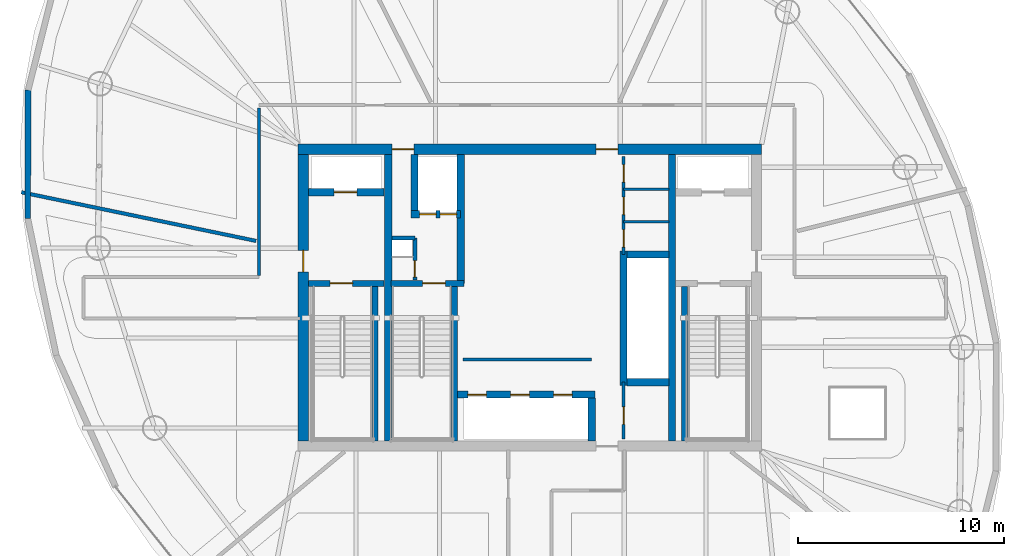
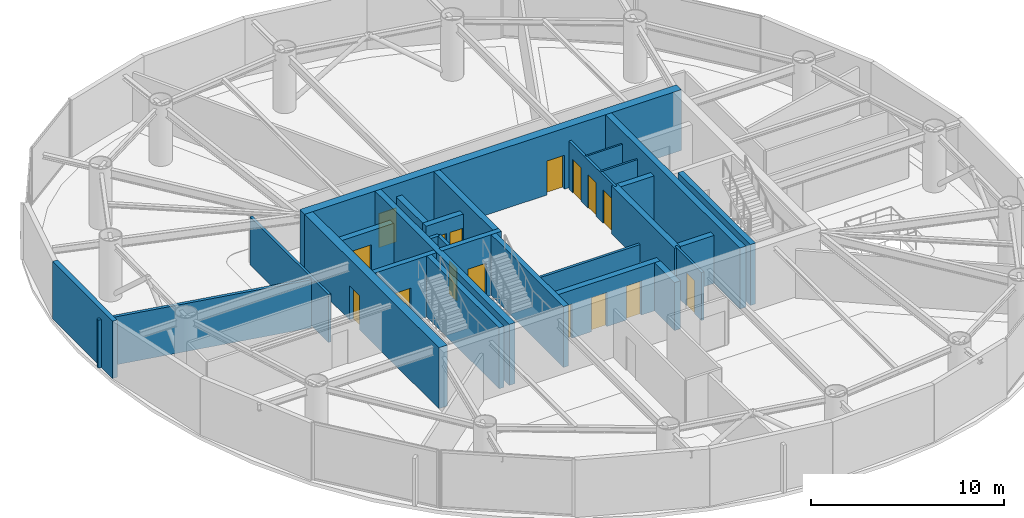
# One storey, part 13 of 18: 28 walls, 16 doors, 16 openings.
"""IFC4 building model written with IfcOpenShell, lengths in metres."""

from ifc_helpers import new_model, si_unit, direction, frame, frame_2d, origin, place, context, subcontext, project, spatial, rectangle, extrude, material, layer, layer_set, type_object, element, fill, save


model = new_model("IFC4")

# Units and contexts
model_context = context("Model", 3, precision=1e-05, world=origin(), true_north=direction((0.0, 1.0)))
body_context = subcontext(model_context, "Body", "Model", "MODEL_VIEW")
ifc_project = project(units=[si_unit("LENGTHUNIT", "METRE"), si_unit("AREAUNIT", "SQUARE_METRE"), si_unit("VOLUMEUNIT", "CUBIC_METRE"), si_unit("PLANEANGLEUNIT", "RADIAN"), si_unit("MASSUNIT", "GRAM", prefix="KILO")], contexts=[model_context])

# Site, building, storey
site_placement = place(None, origin())
site = spatial("IfcSite", under=ifc_project, at=site_placement, CompositionType="ELEMENT")
building_placement = place(site_placement, origin())
building = spatial("IfcBuilding", under=site, at=building_placement, Name="Bramvorn Convention Spire", CompositionType="ELEMENT")
storey_placement = place(building_placement, frame((0.0, 0.0, 205.85009765625)))
storey = spatial("IfcBuildingStorey", under=building, at=storey_placement, Name="L52", CompositionType="ELEMENT", Elevation=205.85009765625)

# Wall, openings, doors
ifc_material_1 = material(Name="Concrete C50/60", Category="concrete")
ifc_layer_1 = layer(ifc_material_1, 0.5)
ifc_layer_set_1 = layer_set([ifc_layer_1], Name="Concrete C50/60 - WL-CORE-500")
wall_type_1 = type_object("IfcWallType", Name="WL-CORE-500", PredefinedType="SHEAR", material=ifc_layer_set_1)
wall_1_placement = place(storey_placement, frame((26.75, 33.199951171875, 0.0), z_axis=(0.0, 0.0, 1.0), x_axis=(1.0, 0.0, 0.0)))
wall_1 = element("IfcWall", 1, at=wall_1_placement, inside=storey, type_object=wall_type_1, Name="L52 North RC core shear wall", PredefinedType="SHEAR", context=body_context, shape_type="SweptSolid", body=[
    extrude(rectangle(XDim=22.5, YDim=0.5, at=frame_2d((11.25, 0.0))), origin(), (0.0, 0.0, 1.0), 3.849853515625),
])
opening_1_placement = place(wall_1_placement, frame((4.570068359375, 0.0, 0.0)))
opening_1 = element("IfcOpeningElement", 2, at=opening_1_placement, cuts=wall_1, Name="Opening DL-105", PredefinedType="OPENING", context=body_context, shape_type="SweptSolid", body=[
    extrude(rectangle(XDim=1.050048828125, YDim=2.14990234375, at=frame_2d((0.52490234375, 1.074951171875))), frame((0.0, 0.260009765625, 0.0), z_axis=(0.0, -1.0, 0.0), x_axis=(1.0, 0.0, 0.0)), (0.0, 0.0, 1.0), 0.52001953125),
])
opening_2_placement = place(wall_1_placement, frame((14.469970703125, 0.0, 0.0)))
opening_2 = element("IfcOpeningElement", 3, at=opening_2_placement, cuts=wall_1, Name="Opening DL-105", PredefinedType="OPENING", context=body_context, shape_type="SweptSolid", body=[
    extrude(rectangle(XDim=1.050048828125, YDim=2.14990234375, at=frame_2d((0.52490234375, 1.074951171875))), frame((0.0, 0.260009765625, 0.0), z_axis=(0.0, -1.0, 0.0), x_axis=(1.0, 0.0, 0.0)), (0.0, 0.0, 1.0), 0.52001953125),
])
ifc_material_2 = material(Name="Smoke-Sealed Fire Lobby Timber-Core Door", Category="wood")
door_type_1 = type_object("IfcDoorType", Name="DR-LOBBY-1050", OperationType="NOTDEFINED", PredefinedType="DOOR", material=ifc_material_2)
door_1_placement = place(opening_1_placement, origin())
door_1 = element("IfcDoor", 4, at=door_1_placement, inside=storey, type_object=door_type_1, Name="L52 Service & Stair ST3 Lobby north corridor door", OperationType="SINGLE_SWING_LEFT", OverallHeight=2.14990234375, OverallWidth=1.050048828125, PredefinedType="DOOR", context=body_context, shape_type="SweptSolid", body=[
    extrude(rectangle(XDim=1.050048828125, YDim=2.14990234375, at=frame_2d((0.52490234375, 1.074951171875))), frame((0.0, 0.02490234375, 0.0), z_axis=(0.0, -1.0, 0.0), x_axis=(1.0, 0.0, 0.0)), (0.0, 0.0, 1.0), 0.050048828125),
])
fill(opening_1, door_1)
door_2_placement = place(opening_2_placement, origin())
door_2 = element("IfcDoor", 5, at=door_2_placement, inside=storey, type_object=door_type_1, Name="L52 North Lift Lobby fire door", OperationType="SINGLE_SWING_LEFT", OverallHeight=2.14990234375, OverallWidth=1.050048828125, PredefinedType="DOOR", context=body_context, shape_type="SweptSolid", body=[
    extrude(rectangle(XDim=1.050048828125, YDim=2.14990234375, at=frame_2d((0.52490234375, 1.074951171875))), frame((0.0, 0.02490234375, 0.0), z_axis=(0.0, -1.0, 0.0), x_axis=(1.0, 0.0, 0.0)), (0.0, 0.0, 1.0), 0.050048828125),
])
fill(opening_2, door_2)

# Wall, opening, door
wall_2_placement = place(storey_placement, frame((27.0, 19.050048828125, 0.0), z_axis=(0.0, 0.0, 1.0), x_axis=(0.0, 1.0, 0.0)))
wall_2 = element("IfcWall", 6, at=wall_2_placement, inside=storey, type_object=wall_type_1, Name="L52 West RC core shear wall", PredefinedType="SHEAR", context=body_context, shape_type="SweptSolid", body=[
    extrude(rectangle(XDim=13.89990234375, YDim=0.5, at=frame_2d((6.949951171875, 0.0))), origin(), (0.0, 0.0, 1.0), 3.849853515625),
])
opening_3_placement = place(wall_2_placement, frame((8.199951171875, 0.0, 0.0)))
opening_3 = element("IfcOpeningElement", 7, at=opening_3_placement, cuts=wall_2, Name="Opening DL-105", PredefinedType="OPENING", context=body_context, shape_type="SweptSolid", body=[
    extrude(rectangle(XDim=1.050048828125, YDim=2.14990234375, at=frame_2d((0.52490234375, 1.074951171875))), frame((0.0, 0.260009765625, 0.0), z_axis=(0.0, -1.0, 0.0), x_axis=(1.0, 0.0, 0.0)), (0.0, 0.0, 1.0), 0.52001953125),
])
door_3_placement = place(opening_3_placement, origin())
door_3 = element("IfcDoor", 8, at=door_3_placement, inside=storey, type_object=door_type_1, Name="L52 West Firefighting Lobby corridor door", OperationType="SINGLE_SWING_RIGHT", OverallHeight=2.14990234375, OverallWidth=1.050048828125, PredefinedType="DOOR", context=body_context, shape_type="SweptSolid", body=[
    extrude(rectangle(XDim=1.050048828125, YDim=2.14990234375, at=frame_2d((0.52490234375, 1.074951171875))), frame((0.0, 0.02490234375, 0.0), z_axis=(0.0, -1.0, 0.0), x_axis=(1.0, 0.0, 0.0)), (0.0, 0.0, 1.0), 0.050048828125),
])
fill(opening_3, door_3)

# Walls
ifc_layer_2 = layer(ifc_material_1, 0.35009765625)
ifc_layer_set_2 = layer_set([ifc_layer_2], Name="Concrete C50/60 - WL-CORE-INT-350")
wall_type_2 = type_object("IfcWallType", Name="WL-CORE-INT-350", PredefinedType="SHEAR", material=ifc_layer_set_2)
for number, where, z_axis, x_axis, name in (
    (9, (31.1298828125, 19.050048828125, 0.0), (0.0, 0.0, 1.0), (0.0, 1.0, 0.0), "L52 West internal core shear web"),
    (10, (44.89990234375, 19.050048828125, 0.0), (0.0, 0.0, 1.0), (0.0, 1.0, 0.0), "L52 East internal core shear web"),
):
    element("IfcWall", number, at=place(storey_placement, frame(where, z_axis=z_axis, x_axis=x_axis)), inside=storey, type_object=wall_type_2, Name=name, PredefinedType="SHEAR", context=body_context, shape_type="SweptSolid", body=[
        extrude(rectangle(XDim=13.89990234375, YDim=0.35009765625, at=frame_2d((6.949951171875, 0.0))), origin(), (0.0, 0.0, 1.0), 3.849853515625),
    ])

# Wall, opening, door
wall_3_placement = place(storey_placement, frame((27.25, 31.1201171875, 0.0), z_axis=(0.0, 0.0, 1.0), x_axis=(1.0, 0.0, 0.0)))
wall_3 = element("IfcWall", 11, at=wall_3_placement, inside=storey, type_object=wall_type_2, Name="L52 FE1 shaft front wall", PredefinedType="SHEAR", context=body_context, shape_type="SweptSolid", body=[
    extrude(rectangle(XDim=3.669921875, YDim=0.35009765625, at=frame_2d((1.8349609375, 0.0))), origin(), (0.0, 0.0, 1.0), 3.034912109375),
])
opening_4_placement = place(wall_3_placement, frame((1.25, 0.0, 0.0)))
opening_4 = element("IfcOpeningElement", 12, at=opening_4_placement, cuts=wall_3, Name="Opening LD-110", PredefinedType="OPENING", context=body_context, shape_type="SweptSolid", body=[
    extrude(rectangle(XDim=1.10009765625, YDim=2.14990234375, at=frame_2d((0.550048828125, 1.074951171875))), frame((0.0, 0.18505859375, 0.0), z_axis=(0.0, -1.0, 0.0), x_axis=(1.0, 0.0, 0.0)), (0.0, 0.0, 1.0), 0.3701171875),
])
ifc_material_3 = material(Name="Firefighting & Service Lift Sliding Landing Door", Category="steel")
door_type_2 = type_object("IfcDoorType", Name="DR-LIFT-LD-1100", OperationType="NOTDEFINED", PredefinedType="DOOR", material=ifc_material_3)
door_4_placement = place(opening_4_placement, origin())
door_4 = element("IfcDoor", 13, at=door_4_placement, inside=storey, type_object=door_type_2, Name="L52 Lift FE1 Sliding Landing Door", OperationType="SLIDING_TO_LEFT", OverallHeight=2.14990234375, OverallWidth=1.10009765625, PredefinedType="DOOR", context=body_context, shape_type="SweptSolid", body=[
    extrude(rectangle(XDim=1.10009765625, YDim=2.14990234375, at=frame_2d((0.550048828125, 1.074951171875))), frame((0.0, 0.02490234375, 0.0), z_axis=(0.0, -1.0, 0.0), x_axis=(1.0, 0.0, 0.0)), (0.0, 0.0, 1.0), 0.050048828125),
])
fill(opening_4, door_4)

# Wall
wall_4_placement = place(storey_placement, frame((34.639892578125, 26.68994140625, 0.0), z_axis=(0.0, 0.0, 1.0), x_axis=(0.0, 1.0, 0.0)))
element("IfcWall", 14, at=wall_4_placement, inside=storey, type_object=wall_type_2, Name="L52 SV east core shaft wall", PredefinedType="SHEAR", context=body_context, shape_type="SweptSolid", body=[
    extrude(rectangle(XDim=6.260009765625, YDim=0.35009765625, at=frame_2d((3.1298828125, 0.0))), origin(), (0.0, 0.0, 1.0), 3.849853515625),
])

# Wall, openings, doors
wall_5_placement = place(storey_placement, frame((32.22998046875, 30.050048828125, 0.0), z_axis=(0.0, 0.0, 1.0), x_axis=(1.0, 0.0, 0.0)))
wall_5 = element("IfcWall", 15, at=wall_5_placement, inside=storey, type_object=wall_type_2, Name="L52 SV1/SV2 shaft front wall", PredefinedType="SHEAR", context=body_context, shape_type="SweptSolid", body=[
    extrude(rectangle(XDim=2.409912109375, YDim=0.35009765625, at=frame_2d((1.205078125, 0.0))), origin(), (0.0, 0.0, 1.0), 3.034912109375),
])
opening_5_placement = place(wall_5_placement, frame((0.419921875, 0.0, 0.0)))
opening_5 = element("IfcOpeningElement", 16, at=opening_5_placement, cuts=wall_5, Name="Opening LD-080", PredefinedType="OPENING", context=body_context, shape_type="SweptSolid", body=[
    extrude(rectangle(XDim=0.800048828125, YDim=2.14990234375, at=frame_2d((0.39990234375, 1.074951171875))), frame((0.0, 0.18505859375, 0.0), z_axis=(0.0, -1.0, 0.0), x_axis=(1.0, 0.0, 0.0)), (0.0, 0.0, 1.0), 0.3701171875),
])
opening_6_placement = place(wall_5_placement, frame((1.419921875, 0.0, 0.0)))
opening_6 = element("IfcOpeningElement", 17, at=opening_6_placement, cuts=wall_5, Name="Opening LD-080", PredefinedType="OPENING", context=body_context, shape_type="SweptSolid", body=[
    extrude(rectangle(XDim=0.800048828125, YDim=2.14990234375, at=frame_2d((0.39990234375, 1.074951171875))), frame((0.0, 0.18505859375, 0.0), z_axis=(0.0, -1.0, 0.0), x_axis=(1.0, 0.0, 0.0)), (0.0, 0.0, 1.0), 0.3701171875),
])
ifc_material_4 = material(Name="Service Lift Bi-Parting Landing Door", Category="steel")
door_type_3 = type_object("IfcDoorType", Name="DR-LIFT-LD-800", OperationType="NOTDEFINED", PredefinedType="DOOR", material=ifc_material_4)
door_5_placement = place(opening_5_placement, origin())
door_5 = element("IfcDoor", 18, at=door_5_placement, inside=storey, type_object=door_type_3, Name="L52 Lift SV1 Sliding Landing Door", OperationType="SLIDING_TO_LEFT", OverallHeight=2.14990234375, OverallWidth=0.800048828125, PredefinedType="DOOR", context=body_context, shape_type="SweptSolid", body=[
    extrude(rectangle(XDim=0.800048828125, YDim=2.14990234375, at=frame_2d((0.39990234375, 1.074951171875))), frame((0.0, 0.02490234375, 0.0), z_axis=(0.0, -1.0, 0.0), x_axis=(1.0, 0.0, 0.0)), (0.0, 0.0, 1.0), 0.050048828125),
])
fill(opening_5, door_5)
door_6_placement = place(opening_6_placement, origin())
door_6 = element("IfcDoor", 19, at=door_6_placement, inside=storey, type_object=door_type_3, Name="L52 Lift SV2 Sliding Landing Door", OperationType="SLIDING_TO_LEFT", OverallHeight=2.14990234375, OverallWidth=0.800048828125, PredefinedType="DOOR", context=body_context, shape_type="SweptSolid", body=[
    extrude(rectangle(XDim=0.800048828125, YDim=2.14990234375, at=frame_2d((0.39990234375, 1.074951171875))), frame((0.0, 0.02490234375, 0.0), z_axis=(0.0, -1.0, 0.0), x_axis=(1.0, 0.0, 0.0)), (0.0, 0.0, 1.0), 0.050048828125),
])
fill(opening_6, door_6)

# Walls
wall_6_placement = place(storey_placement, frame((32.39990234375, 30.219970703125, 0.0), z_axis=(0.0, 0.0, 1.0), x_axis=(0.0, 1.0, 0.0)))
element("IfcWall", 20, at=wall_6_placement, inside=storey, type_object=wall_type_2, Name="L52 SV1 west hoistway wall", PredefinedType="SHEAR", context=body_context, shape_type="SweptSolid", body=[
    extrude(rectangle(XDim=2.72998046875, YDim=0.35009765625, at=frame_2d((1.364990234375, 0.0))), origin(), (0.0, 0.0, 1.0), 3.034912109375),
])
wall_7_placement = place(storey_placement, frame((42.550048828125, 21.72998046875, 0.0), z_axis=(0.0, 0.0, 1.0), x_axis=(0.0, 1.0, 0.0)))
element("IfcWall", 21, at=wall_7_placement, inside=storey, type_object=wall_type_2, Name="L52 High-rise lift bank west wall", PredefinedType="SHEAR", context=body_context, shape_type="SweptSolid", body=[
    extrude(rectangle(XDim=6.5400390625, YDim=0.35009765625, at=frame_2d((3.27001953125, 0.0))), origin(), (0.0, 0.0, 1.0), 3.034912109375),
])
for number, where, z_axis, x_axis, name in (
    (22, (42.719970703125, 21.89990234375, 0.0), (0.0, 0.0, 1.0), (1.0, 0.0, 0.0), "L52 High-rise lift bank south wall"),
    (23, (42.719970703125, 28.10009765625, 0.0), (0.0, 0.0, 1.0), (1.0, 0.0, 0.0), "L52 High-rise lift bank north wall"),
):
    element("IfcWall", number, at=place(storey_placement, frame(where, z_axis=z_axis, x_axis=x_axis)), inside=storey, type_object=wall_type_2, Name=name, PredefinedType="SHEAR", context=body_context, shape_type="SweptSolid", body=[
        extrude(rectangle(XDim=2.030029296875, YDim=0.35009765625, at=frame_2d((1.01513671875, 0.0))), origin(), (0.0, 0.0, 1.0), 3.034912109375),
    ])

# Wall, openings, doors
wall_8_placement = place(storey_placement, frame((34.489990234375, 21.300048828125, 0.0), z_axis=(0.0, 0.0, 1.0), x_axis=(1.0, 0.0, 0.0)))
wall_8 = element("IfcWall", 24, at=wall_8_placement, inside=storey, type_object=wall_type_2, Name="L52 Mid-rise bank north landing wall", PredefinedType="SHEAR", context=body_context, shape_type="SweptSolid", body=[
    extrude(rectangle(XDim=6.679931640625, YDim=0.35009765625, at=frame_2d((3.33984375, 0.0))), origin(), (0.0, 0.0, 1.0), 3.034912109375),
])
opening_7_placement = place(wall_8_placement, frame((0.5, 0.0, 0.0)))
opening_7 = element("IfcOpeningElement", 25, at=opening_7_placement, cuts=wall_8, Name="Opening LD-090", PredefinedType="OPENING", context=body_context, shape_type="SweptSolid", body=[
    extrude(rectangle(XDim=0.89990234375, YDim=2.14990234375, at=frame_2d((0.449951171875, 1.074951171875))), frame((0.0, 0.18505859375, 0.0), z_axis=(0.0, -1.0, 0.0), x_axis=(1.0, 0.0, 0.0)), (0.0, 0.0, 1.0), 0.3701171875),
])
opening_8_placement = place(wall_8_placement, frame((2.580078125, 0.0, 0.0)))
opening_8 = element("IfcOpeningElement", 26, at=opening_8_placement, cuts=wall_8, Name="Opening LD-090", PredefinedType="OPENING", context=body_context, shape_type="SweptSolid", body=[
    extrude(rectangle(XDim=0.89990234375, YDim=2.14990234375, at=frame_2d((0.449951171875, 1.074951171875))), frame((0.0, 0.18505859375, 0.0), z_axis=(0.0, -1.0, 0.0), x_axis=(1.0, 0.0, 0.0)), (0.0, 0.0, 1.0), 0.3701171875),
])
opening_9_placement = place(wall_8_placement, frame((4.659912109375, 0.0, 0.0)))
opening_9 = element("IfcOpeningElement", 27, at=opening_9_placement, cuts=wall_8, Name="Opening LD-090", PredefinedType="OPENING", context=body_context, shape_type="SweptSolid", body=[
    extrude(rectangle(XDim=0.89990234375, YDim=2.14990234375, at=frame_2d((0.449951171875, 1.074951171875))), frame((0.0, 0.18505859375, 0.0), z_axis=(0.0, -1.0, 0.0), x_axis=(1.0, 0.0, 0.0)), (0.0, 0.0, 1.0), 0.3701171875),
])
ifc_material_5 = material(Name="Bi-Parting Fire-Rated Lift Landing Door", Category="steel")
door_type_4 = type_object("IfcDoorType", Name="DR-LIFT-LD-900", OperationType="NOTDEFINED", PredefinedType="DOOR", material=ifc_material_5)
door_7_placement = place(opening_7_placement, origin())
door_7 = element("IfcDoor", 28, at=door_7_placement, inside=storey, type_object=door_type_4, Name="L52 Lift PM1 Sliding Landing Door", OperationType="SLIDING_TO_LEFT", OverallHeight=2.14990234375, OverallWidth=0.89990234375, PredefinedType="DOOR", context=body_context, shape_type="SweptSolid", body=[
    extrude(rectangle(XDim=0.89990234375, YDim=2.14990234375, at=frame_2d((0.449951171875, 1.074951171875))), frame((0.0, 0.02490234375, 0.0), z_axis=(0.0, -1.0, 0.0), x_axis=(1.0, 0.0, 0.0)), (0.0, 0.0, 1.0), 0.050048828125),
])
fill(opening_7, door_7)
door_8_placement = place(opening_8_placement, origin())
door_8 = element("IfcDoor", 29, at=door_8_placement, inside=storey, type_object=door_type_4, Name="L52 Lift PM2 Sliding Landing Door", OperationType="SLIDING_TO_LEFT", OverallHeight=2.14990234375, OverallWidth=0.89990234375, PredefinedType="DOOR", context=body_context, shape_type="SweptSolid", body=[
    extrude(rectangle(XDim=0.89990234375, YDim=2.14990234375, at=frame_2d((0.449951171875, 1.074951171875))), frame((0.0, 0.02490234375, 0.0), z_axis=(0.0, -1.0, 0.0), x_axis=(1.0, 0.0, 0.0)), (0.0, 0.0, 1.0), 0.050048828125),
])
fill(opening_8, door_8)
door_9_placement = place(opening_9_placement, origin())
door_9 = element("IfcDoor", 30, at=door_9_placement, inside=storey, type_object=door_type_4, Name="L52 Lift PM3 Sliding Landing Door", OperationType="SLIDING_TO_LEFT", OverallHeight=2.14990234375, OverallWidth=0.89990234375, PredefinedType="DOOR", context=body_context, shape_type="SweptSolid", body=[
    extrude(rectangle(XDim=0.89990234375, YDim=2.14990234375, at=frame_2d((0.449951171875, 1.074951171875))), frame((0.0, 0.02490234375, 0.0), z_axis=(0.0, -1.0, 0.0), x_axis=(1.0, 0.0, 0.0)), (0.0, 0.0, 1.0), 0.050048828125),
])
fill(opening_9, door_9)

# Walls
wall_9_placement = place(storey_placement, frame((41.0, 19.050048828125, 0.0), z_axis=(0.0, 0.0, 1.0), x_axis=(0.0, 1.0, 0.0)))
element("IfcWall", 31, at=wall_9_placement, inside=storey, type_object=wall_type_2, Name="L52 Mid-rise bank east cheek wall", PredefinedType="SHEAR", context=body_context, shape_type="SweptSolid", body=[
    extrude(rectangle(XDim=2.079833984375, YDim=0.35009765625, at=frame_2d((1.0400390625, 0.0))), origin(), (0.0, 0.0, 1.0), 3.034912109375),
])
ifc_material_6 = material(Name="Precast Concrete C40/50 with Bronze Terracotta Rainscreen", Category="masonry")
ifc_layer_3 = layer(ifc_material_6, 0.300048828125)
ifc_layer_set_3 = layer_set([ifc_layer_3], Name="Precast Concrete C40/50 with Bronze Terracotta Rainscreen - WL-EXT-BRONZE-300")
wall_type_3 = type_object("IfcWallType", Name="WL-EXT-BRONZE-300", PredefinedType="SOLIDWALL", material=ifc_layer_set_3)
wall_10_placement = place(storey_placement, frame((13.6279296875, 29.8466796875, 0.0), z_axis=(0.0, 0.0, 1.0), x_axis=(0.003136870423, 0.99999508001, 0.0)))
element("IfcWall", 32, at=wall_10_placement, inside=storey, type_object=wall_type_3, Name="L52 expressed bronze Gothic lancet pier wall 15", PredefinedType="SOLIDWALL", context=body_context, shape_type="SweptSolid", body=[
    extrude(rectangle(XDim=6.226318359375, YDim=0.280029296875, at=frame_2d((3.11328125, 0.0))), origin(), (0.0, 0.0, 1.0), 3.619873046875),
])
ifc_material_7 = material(Name="Lightweight En-Suite & Wet-Wall Partition", Category="gypsum")
ifc_layer_4 = layer(ifc_material_7, 0.110107421875)
ifc_layer_set_4 = layer_set([ifc_layer_4], Name="Lightweight En-Suite & Wet-Wall Partition - WL-PART-110")
wall_type_4 = type_object("IfcWallType", Name="WL-PART-110", PredefinedType="PARTITIONING", material=ifc_layer_set_4)
for number, where, z_axis, x_axis, name in (
    (33, (42.550048828125, 29.679931640625, 0.0), (0.0, 0.0, 1.0), (1.0, 0.0, 0.0), "L52 KC NE div 1"),
    (34, (42.550048828125, 31.260009765625, 0.0), (0.0, 0.0, 1.0), (1.0, 0.0, 0.0), "L52 KC NE div 2"),
):
    element("IfcWall", number, at=place(storey_placement, frame(where, z_axis=z_axis, x_axis=x_axis)), inside=storey, type_object=wall_type_4, Name=name, PredefinedType="PARTITIONING", context=body_context, shape_type="SweptSolid", body=[
        extrude(rectangle(XDim=2.199951171875, YDim=0.110107421875, at=frame_2d((1.10009765625, 0.0))), origin(), (0.0, 0.0, 1.0), 3.034912109375),
    ])
ifc_material_8 = material(Name="Acoustic Metal-Stud Tenant/Corridor Partition", Category="gypsum")
ifc_layer_5 = layer(ifc_material_8, 0.14990234375)
ifc_layer_set_5 = layer_set([ifc_layer_5], Name="Acoustic Metal-Stud Tenant/Corridor Partition - WL-PART-150")
wall_type_5 = type_object("IfcWallType", Name="WL-PART-150", PredefinedType="PARTITIONING", material=ifc_layer_set_5)
wall_11_placement = place(storey_placement, frame((34.75, 23.0, 0.0), z_axis=(0.0, 0.0, 1.0), x_axis=(1.0, 0.0, 0.0)))
element("IfcWall", 35, at=wall_11_placement, inside=storey, type_object=wall_type_5, Name="L52 Mid-rise lift vestibule north wall", PredefinedType="PARTITIONING", context=body_context, shape_type="SweptSolid", body=[
    extrude(rectangle(XDim=6.25, YDim=0.14990234375, at=frame_2d((3.125, 0.0))), origin(), (0.0, 0.0, 1.0), 3.034912109375),
])

# Wall, openings, doors
wall_12_placement = place(storey_placement, frame((42.550048828125, 28.10009765625, 0.0), z_axis=(0.0, 0.0, 1.0), x_axis=(0.0, 1.0, 0.0)))
wall_12 = element("IfcWall", 36, at=wall_12_placement, inside=storey, type_object=wall_type_5, Name="L52 KC NE wall", PredefinedType="PARTITIONING", context=body_context, shape_type="SweptSolid", body=[
    extrude(rectangle(XDim=4.75, YDim=0.14990234375, at=frame_2d((2.375, 0.0))), origin(), (0.0, 0.0, 1.0), 3.034912109375),
])
opening_10_placement = place(wall_12_placement, frame((0.35009765625, 0.0, 0.0)))
opening_10 = element("IfcOpeningElement", 37, at=opening_10_placement, cuts=wall_12, Name="Opening DC-085", PredefinedType="OPENING", context=body_context, shape_type="SweptSolid", body=[
    extrude(rectangle(XDim=0.85009765625, YDim=2.10009765625, at=frame_2d((0.425048828125, 1.050048828125))), frame((0.0, 0.0849609375, 0.0), z_axis=(0.0, -1.0, 0.0), x_axis=(1.0, 0.0, 0.0)), (0.0, 0.0, 1.0), 0.169921875),
])
opening_11_placement = place(wall_12_placement, frame((1.929931640625, 0.0, 0.0)))
opening_11 = element("IfcOpeningElement", 38, at=opening_11_placement, cuts=wall_12, Name="Opening DC-085", PredefinedType="OPENING", context=body_context, shape_type="SweptSolid", body=[
    extrude(rectangle(XDim=0.85009765625, YDim=2.10009765625, at=frame_2d((0.425048828125, 1.050048828125))), frame((0.0, 0.0849609375, 0.0), z_axis=(0.0, -1.0, 0.0), x_axis=(1.0, 0.0, 0.0)), (0.0, 0.0, 1.0), 0.169921875),
])
opening_12_placement = place(wall_12_placement, frame((3.510009765625, 0.0, 0.0)))
opening_12 = element("IfcOpeningElement", 39, at=opening_12_placement, cuts=wall_12, Name="Opening DC-085", PredefinedType="OPENING", context=body_context, shape_type="SweptSolid", body=[
    extrude(rectangle(XDim=0.85009765625, YDim=2.10009765625, at=frame_2d((0.425048828125, 1.050048828125))), frame((0.0, 0.0849609375, 0.0), z_axis=(0.0, -1.0, 0.0), x_axis=(1.0, 0.0, 0.0)), (0.0, 0.0, 1.0), 0.169921875),
])
ifc_material_9 = material(Name="Fire-Rated Core Washroom & IDF Door", Category="wood")
door_type_5 = type_object("IfcDoorType", Name="DR-CORE-850", OperationType="NOTDEFINED", PredefinedType="DOOR", material=ifc_material_9)
door_10_placement = place(opening_10_placement, origin())
door_10 = element("IfcDoor", 40, at=door_10_placement, inside=storey, type_object=door_type_5, Name="L52 Accessible Core Restroom door", OperationType="SINGLE_SWING_LEFT", OverallHeight=2.10009765625, OverallWidth=0.85009765625, PredefinedType="DOOR", context=body_context, shape_type="SweptSolid", body=[
    extrude(rectangle(XDim=0.85009765625, YDim=2.10009765625, at=frame_2d((0.425048828125, 1.050048828125))), frame((0.0, 0.02490234375, 0.0), z_axis=(0.0, -1.0, 0.0), x_axis=(1.0, 0.0, 0.0)), (0.0, 0.0, 1.0), 0.050048828125),
])
fill(opening_10, door_10)
door_11_placement = place(opening_11_placement, origin())
door_11 = element("IfcDoor", 41, at=door_11_placement, inside=storey, type_object=door_type_5, Name="L52 Tenant Pantry & Copy Centre door", OperationType="SINGLE_SWING_LEFT", OverallHeight=2.10009765625, OverallWidth=0.85009765625, PredefinedType="DOOR", context=body_context, shape_type="SweptSolid", body=[
    extrude(rectangle(XDim=0.85009765625, YDim=2.10009765625, at=frame_2d((0.425048828125, 1.050048828125))), frame((0.0, 0.02490234375, 0.0), z_axis=(0.0, -1.0, 0.0), x_axis=(1.0, 0.0, 0.0)), (0.0, 0.0, 1.0), 0.050048828125),
])
fill(opening_11, door_11)
door_12_placement = place(opening_12_placement, origin())
door_12 = element("IfcDoor", 42, at=door_12_placement, inside=storey, type_object=door_type_5, Name="L52 Core Comms Closet door", OperationType="SINGLE_SWING_LEFT", OverallHeight=2.10009765625, OverallWidth=0.85009765625, PredefinedType="DOOR", context=body_context, shape_type="SweptSolid", body=[
    extrude(rectangle(XDim=0.85009765625, YDim=2.10009765625, at=frame_2d((0.425048828125, 1.050048828125))), frame((0.0, 0.02490234375, 0.0), z_axis=(0.0, -1.0, 0.0), x_axis=(1.0, 0.0, 0.0)), (0.0, 0.0, 1.0), 0.050048828125),
])
fill(opening_12, door_12)

# Wall, opening, door
wall_13_placement = place(storey_placement, frame((42.550048828125, 19.14990234375, 0.0), z_axis=(0.0, 0.0, 1.0), x_axis=(0.0, 1.0, 0.0)))
wall_13 = element("IfcWall", 43, at=wall_13_placement, inside=storey, type_object=wall_type_5, Name="L52 KC SE wall", PredefinedType="PARTITIONING", context=body_context, shape_type="SweptSolid", body=[
    extrude(rectangle(XDim=2.75, YDim=0.14990234375, at=frame_2d((1.375, 0.0))), origin(), (0.0, 0.0, 1.0), 3.034912109375),
])
opening_13_placement = place(wall_13_placement, frame((0.699951171875, 0.0, 0.0)))
opening_13 = element("IfcOpeningElement", 44, at=opening_13_placement, cuts=wall_13, Name="Opening DC-085", PredefinedType="OPENING", context=body_context, shape_type="SweptSolid", body=[
    extrude(rectangle(XDim=0.85009765625, YDim=2.10009765625, at=frame_2d((0.425048828125, 1.050048828125))), frame((0.0, 0.0849609375, 0.0), z_axis=(0.0, -1.0, 0.0), x_axis=(1.0, 0.0, 0.0)), (0.0, 0.0, 1.0), 0.169921875),
])
door_13_placement = place(opening_13_placement, origin())
door_13 = element("IfcDoor", 45, at=door_13_placement, inside=storey, type_object=door_type_5, Name="L52 Core Valve & Riser Room door", OperationType="SINGLE_SWING_LEFT", OverallHeight=2.10009765625, OverallWidth=0.85009765625, PredefinedType="DOOR", context=body_context, shape_type="SweptSolid", body=[
    extrude(rectangle(XDim=0.85009765625, YDim=2.10009765625, at=frame_2d((0.425048828125, 1.050048828125))), frame((0.0, 0.02490234375, 0.0), z_axis=(0.0, -1.0, 0.0), x_axis=(1.0, 0.0, 0.0)), (0.0, 0.0, 1.0), 0.050048828125),
])
fill(opening_13, door_13)

# Walls
wall_14_placement = place(storey_placement, frame((24.85009765625, 27.080078125, 0.0), z_axis=(0.0, 0.0, 1.0), x_axis=(0.0, 1.0, 0.0)))
element("IfcWall", 46, at=wall_14_placement, inside=storey, type_object=wall_type_5, Name="L52 NW gallery cheek", PredefinedType="PARTITIONING", context=body_context, shape_type="SweptSolid", body=[
    extrude(rectangle(XDim=8.119873046875, YDim=0.14990234375, at=frame_2d((4.06005859375, 0.0))), origin(), (0.0, 0.0, 1.0), 3.034912109375),
])
ifc_material_10 = material(Name="Double-Stud Acoustic Hotel/Suite Partition", Category="gypsum")
ifc_layer_6 = layer(ifc_material_10, 0.175048828125)
ifc_layer_set_6 = layer_set([ifc_layer_6], Name="Double-Stud Acoustic Hotel/Suite Partition - WL-PART-175")
wall_type_6 = type_object("IfcWallType", Name="WL-PART-175", PredefinedType="PARTITIONING", material=ifc_layer_set_6)
wall_15_placement = place(storey_placement, frame((24.7099609375, 28.755615234375, 0.0), z_axis=(0.0, 0.0, 1.0), x_axis=(-0.979173048769, 0.203027437961, 0.0)))
element("IfcWall", 47, at=wall_15_placement, inside=storey, type_object=wall_type_6, Name="L52 Tenant suite partition 4", PredefinedType="PARTITIONING", context=body_context, shape_type="SweptSolid", body=[
    extrude(rectangle(XDim=11.635498046875, YDim=0.175048828125, at=frame_2d((5.81787109375, 0.0))), origin(), (0.0, 0.0, 1.0), 3.034912109375),
])

# Wall, opening, door
ifc_material_11 = material(Name="Gypsum Shaftwall & Rockwool Core Partition", Category="gypsum")
ifc_layer_7 = layer(ifc_material_11, 0.199951171875)
ifc_layer_set_7 = layer_set([ifc_layer_7], Name="Gypsum Shaftwall & Rockwool Core Partition - WL-PART-200-FR")
wall_type_7 = type_object("IfcWallType", Name="WL-PART-200-FR", PredefinedType="PARTITIONING", material=ifc_layer_set_7)
wall_16_placement = place(storey_placement, frame((32.419921875, 26.860107421875, 0.0), z_axis=(0.0, 0.0, 1.0), x_axis=(0.0, 1.0, 0.0)))
wall_16 = element("IfcWall", 48, at=wall_16_placement, inside=storey, type_object=wall_type_7, Name="L52 Telecom riser east wall", PredefinedType="PARTITIONING", context=body_context, shape_type="SweptSolid", body=[
    extrude(rectangle(XDim=2.039794921875, YDim=0.199951171875, at=frame_2d((1.02001953125, 0.0))), origin(), (0.0, 0.0, 1.0), 3.034912109375),
])
opening_14_placement = place(wall_16_placement, frame((0.139892578125, 0.0, 0.0)))
opening_14 = element("IfcOpeningElement", 49, at=opening_14_placement, cuts=wall_16, Name="Opening DR-080", PredefinedType="OPENING", context=body_context, shape_type="SweptSolid", body=[
    extrude(rectangle(XDim=0.800048828125, YDim=2.050048828125, at=frame_2d((0.39990234375, 1.02490234375))), frame((0.0, 0.10986328125, 0.0), z_axis=(0.0, -1.0, 0.0), x_axis=(1.0, 0.0, 0.0)), (0.0, 0.0, 1.0), 0.219970703125),
])
ifc_material_12 = material(Name="Flush Steel Riser Access Door", Category="steel")
door_type_6 = type_object("IfcDoorType", Name="DR-RISER-800", OperationType="NOTDEFINED", PredefinedType="DOOR", material=ifc_material_12)
door_14_placement = place(opening_14_placement, origin())
door_14 = element("IfcDoor", 50, at=door_14_placement, inside=storey, type_object=door_type_6, Name="L52 Telecom riser access door", OperationType="SINGLE_SWING_RIGHT", OverallHeight=2.050048828125, OverallWidth=0.800048828125, PredefinedType="DOOR", context=body_context, shape_type="SweptSolid", body=[
    extrude(rectangle(XDim=0.800048828125, YDim=2.050048828125, at=frame_2d((0.39990234375, 1.02490234375))), frame((0.0, 0.02490234375, 0.0), z_axis=(0.0, -1.0, 0.0), x_axis=(1.0, 0.0, 0.0)), (0.0, 0.0, 1.0), 0.050048828125),
])
fill(opening_14, door_14)

# Wall
wall_17_placement = place(storey_placement, frame((31.300048828125, 28.89990234375, 0.0), z_axis=(0.0, 0.0, 1.0), x_axis=(1.0, 0.0, 0.0)))
element("IfcWall", 51, at=wall_17_placement, inside=storey, type_object=wall_type_7, Name="L52 Telecom riser north wall", PredefinedType="PARTITIONING", context=body_context, shape_type="SweptSolid", body=[
    extrude(rectangle(XDim=1.119873046875, YDim=0.199951171875, at=frame_2d((0.56005859375, 0.0))), origin(), (0.0, 0.0, 1.0), 3.034912109375),
])

# Wall, opening, door
ifc_layer_8 = layer(ifc_material_1, 0.300048828125)
ifc_layer_set_8 = layer_set([ifc_layer_8], Name="Concrete C50/60 - WL-POD-STAIR-300")
wall_type_8 = type_object("IfcWallType", Name="WL-POD-STAIR-300", PredefinedType="SHEAR", material=ifc_layer_set_8)
wall_18_placement = place(storey_placement, frame((27.25, 26.68994140625, 0.0), z_axis=(0.0, 0.0, 1.0), x_axis=(1.0, 0.0, 0.0)))
wall_18 = element("IfcWall", 52, at=wall_18_placement, inside=storey, type_object=wall_type_8, Name="L52 ST1 north fire wall", PredefinedType="SHEAR", context=body_context, shape_type="SweptSolid", body=[
    extrude(rectangle(XDim=3.669921875, YDim=0.300048828125, at=frame_2d((1.8349609375, 0.0))), origin(), (0.0, 0.0, 1.0), 3.849853515625),
])
opening_15_placement = place(wall_18_placement, frame((1.050048828125, 0.0, 0.0)))
opening_15 = element("IfcOpeningElement", 53, at=opening_15_placement, cuts=wall_18, Name="Opening DS-110", PredefinedType="OPENING", context=body_context, shape_type="SweptSolid", body=[
    extrude(rectangle(XDim=1.10009765625, YDim=2.14990234375, at=frame_2d((0.550048828125, 1.074951171875))), frame((0.0, 0.159912109375, 0.0), z_axis=(0.0, -1.0, 0.0), x_axis=(1.0, 0.0, 0.0)), (0.0, 0.0, 1.0), 0.320068359375),
])
ifc_material_13 = material(Name="Fire-Rated Hollow Steel Stairwell Door", Category="steel")
door_type_7 = type_object("IfcDoorType", Name="DR-STAIR-1100", OperationType="NOTDEFINED", PredefinedType="DOOR", material=ifc_material_13)
door_15_placement = place(opening_15_placement, origin())
door_15 = element("IfcDoor", 54, at=door_15_placement, inside=storey, type_object=door_type_7, Name="L52 Stair ST1 fire door", OperationType="SINGLE_SWING_LEFT", OverallHeight=2.14990234375, OverallWidth=1.10009765625, PredefinedType="DOOR", context=body_context, shape_type="SweptSolid", body=[
    extrude(rectangle(XDim=1.10009765625, YDim=2.14990234375, at=frame_2d((0.550048828125, 1.074951171875))), frame((0.0, 0.02490234375, 0.0), z_axis=(0.0, -1.0, 0.0), x_axis=(1.0, 0.0, 0.0)), (0.0, 0.0, 1.0), 0.050048828125),
])
fill(opening_15, door_15)

# Walls
for number, where, z_axis, x_axis, name in (
    (55, (30.489990234375, 19.050048828125, 0.0), (0.0, 0.0, 1.0), (0.0, 1.0, 0.0), "L52 ST1 east bearing wall"),
    (56, (45.510009765625, 19.050048828125, 0.0), (0.0, 0.0, 1.0), (0.0, 1.0, 0.0), "L52 ST2 west bearing wall"),
    (57, (34.340087890625, 19.050048828125, 0.0), (0.0, 0.0, 1.0), (0.0, 1.0, 0.0), "L52 ST3 east bearing wall"),
):
    element("IfcWall", number, at=place(storey_placement, frame(where, z_axis=z_axis, x_axis=x_axis)), inside=storey, type_object=wall_type_8, Name=name, PredefinedType="SHEAR", context=body_context, shape_type="SweptSolid", body=[
        extrude(rectangle(XDim=7.5, YDim=0.300048828125, at=frame_2d((3.75, 0.0))), origin(), (0.0, 0.0, 1.0), 3.849853515625),
    ])

# Wall, opening, door
wall_19_placement = place(storey_placement, frame((31.25, 26.68994140625, 0.0), z_axis=(0.0, 0.0, 1.0), x_axis=(1.0, 0.0, 0.0)))
wall_19 = element("IfcWall", 58, at=wall_19_placement, inside=storey, type_object=wall_type_8, Name="L52 ST3 north lobby wall", PredefinedType="SHEAR", context=body_context, shape_type="SweptSolid", body=[
    extrude(rectangle(XDim=3.56005859375, YDim=0.300048828125, at=frame_2d((1.780029296875, 0.0))), origin(), (0.0, 0.0, 1.0), 3.849853515625),
])
opening_16_placement = place(wall_19_placement, frame((1.550048828125, 0.0, 0.0)))
opening_16 = element("IfcOpeningElement", 59, at=opening_16_placement, cuts=wall_19, Name="Opening DS-110", PredefinedType="OPENING", context=body_context, shape_type="SweptSolid", body=[
    extrude(rectangle(XDim=1.10009765625, YDim=2.14990234375, at=frame_2d((0.550048828125, 1.074951171875))), frame((0.0, 0.159912109375, 0.0), z_axis=(0.0, -1.0, 0.0), x_axis=(1.0, 0.0, 0.0)), (0.0, 0.0, 1.0), 0.320068359375),
])
door_16_placement = place(opening_16_placement, origin())
door_16 = element("IfcDoor", 60, at=door_16_placement, inside=storey, type_object=door_type_7, Name="L52 Stair ST3 fire door", OperationType="SINGLE_SWING_LEFT", OverallHeight=2.14990234375, OverallWidth=1.10009765625, PredefinedType="DOOR", context=body_context, shape_type="SweptSolid", body=[
    extrude(rectangle(XDim=1.10009765625, YDim=2.14990234375, at=frame_2d((0.550048828125, 1.074951171875))), frame((0.0, 0.02490234375, 0.0), z_axis=(0.0, -1.0, 0.0), x_axis=(1.0, 0.0, 0.0)), (0.0, 0.0, 1.0), 0.050048828125),
])
fill(opening_16, door_16)

save(model, "model.ifc")
